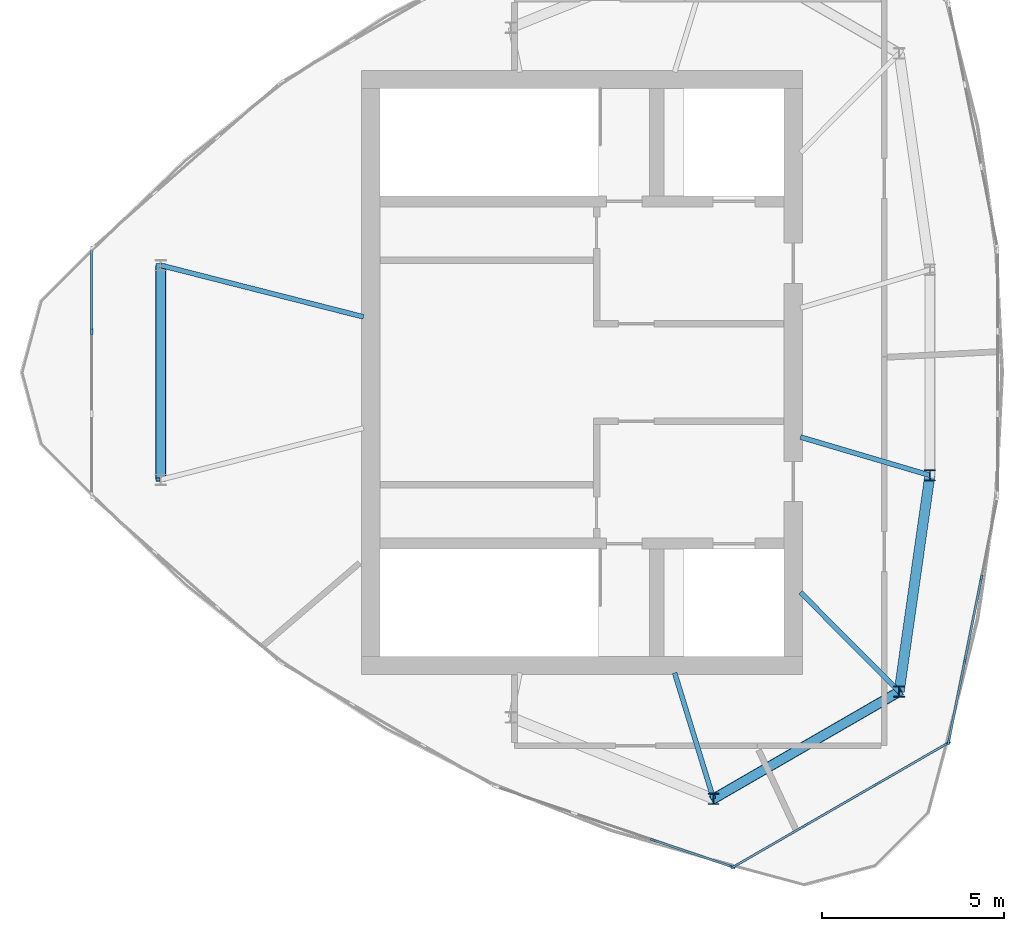
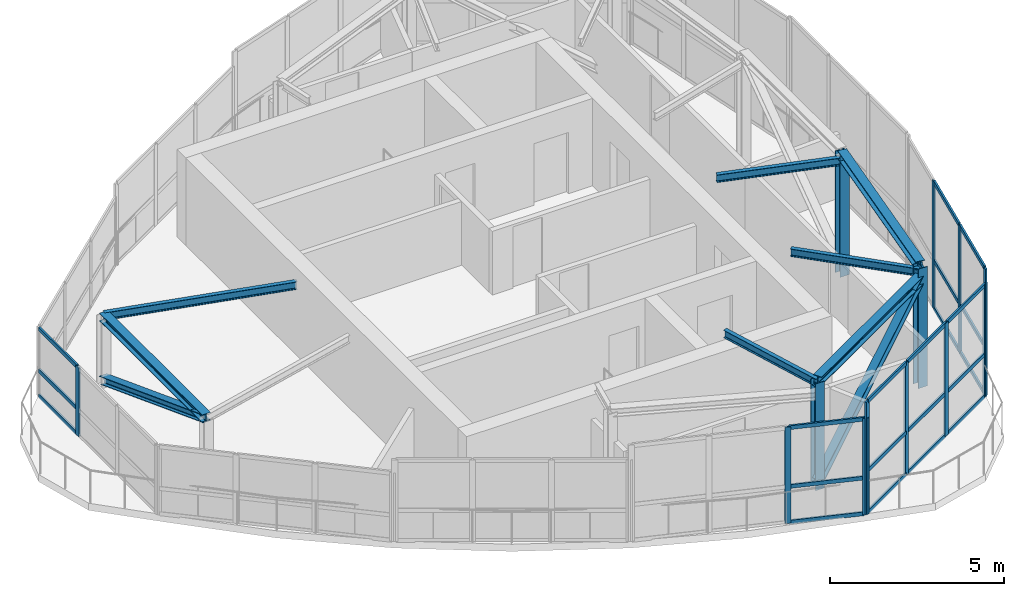
# One storey, part 2 of 9: 43 members, 4 elements without a shape of their own.
"""IFC4 building model written with IfcOpenShell, lengths in metres."""

import ifcopenshell
import ifcopenshell.guid

model = None  # the IFC model being written
_history = None  # IfcOwnerHistory: only IFC2X3 demands one
_inside = {}  # id of a spatial element -> (the spatial element, [elements in it])
_under = {}  # id of a project, library or spatial element -> (it, [spatial elements below it])
_declared = {}  # id of a project -> (the project, [libraries it declares])
_typed = {}  # id of a type object -> (the type object, [elements of that type])
_made_of = {}  # id of a material, layer set ... -> (it, [elements and type objects made of it])


def new_model(schema):
    """Start an empty IFC model of exactly this schema.

    Asked for "IFC4X3", IfcOpenShell would pick the latest addendum, in which some entities
    have other attributes; the version numbers below select the first issue.
    IFC2X3 requires an IfcOwnerHistory on every rooted entity: one is made here for all.
    """
    global model, _history
    if schema == "IFC4X3":
        model = ifcopenshell.file(schema_version=(4, 3, 0, 0))
    else:
        model = ifcopenshell.file(schema=schema)
    _inside.clear()
    _under.clear()
    _declared.clear()
    _typed.clear()
    _made_of.clear()
    _history = None
    if model.schema == "IFC2X3":
        org = make("IfcOrganization", Name="unknown")
        user = make(
            "IfcPersonAndOrganization",
            ThePerson=make("IfcPerson", FamilyName="unknown"),
            TheOrganization=org,
        )
        app = make(
            "IfcApplication",
            ApplicationDeveloper=org,
            Version="unknown",
            ApplicationFullName="unknown",
            ApplicationIdentifier="unknown",
        )
        _history = make(
            "IfcOwnerHistory",
            OwningUser=user,
            OwningApplication=app,
            ChangeAction="ADDED",
            CreationDate=0,
        )
    return model


def make(cls, **values):
    """One entity of the class cls with the attributes given. An attribute that is None is left unset."""
    return model.create_entity(
        cls, **{name: value for name, value in values.items() if value is not None}
    )


def rooted(cls, **values):
    """An entity with a GlobalId (a new one), such as an element, a storey or a relation."""
    return make(cls, GlobalId=ifcopenshell.guid.new(), OwnerHistory=_history, **values)


def si_unit(unit_type, name, prefix=None):
    """IfcSIUnit, for example si_unit("LENGTHUNIT", "METRE", prefix="MILLI")."""
    return make("IfcSIUnit", UnitType=unit_type, Prefix=prefix, Name=name)


def assignment(units):
    """IfcUnitAssignment: the units of a project."""
    return None if units is None else make("IfcUnitAssignment", Units=units)


def point(xyz):
    """IfcCartesianPoint."""
    return None if xyz is None else make("IfcCartesianPoint", Coordinates=xyz)


def direction(xyz):
    """IfcDirection."""
    return None if xyz is None else make("IfcDirection", DirectionRatios=xyz)


def frame(location, z_axis=None, x_axis=None):
    """IfcAxis2Placement3D, a coordinate frame: its origin and axes. An axis left out is left unset."""
    return make(
        "IfcAxis2Placement3D",
        Location=point(location),
        Axis=direction(z_axis),
        RefDirection=direction(x_axis),
    )


def frame_2d(location, x_axis=None):
    """IfcAxis2Placement2D, a coordinate frame in the plane: its origin and x axis."""
    return make(
        "IfcAxis2Placement2D", Location=point(location), RefDirection=direction(x_axis)
    )


def origin():
    """The frame at (0, 0, 0) with its axes left unset."""
    return frame((0.0, 0.0, 0.0))


def origin_2d():
    """The frame at (0, 0) in the plane with its x axis left unset."""
    return frame_2d((0.0, 0.0))


def place(relative_to, where):
    """IfcLocalPlacement: puts the frame where relative to a parent placement (None: the world)."""
    return make(
        "IfcLocalPlacement", PlacementRelTo=relative_to, RelativePlacement=where
    )


def context(
    kind, dimensions, precision=None, world=None, true_north=None, identifier=None
):
    """IfcGeometricRepresentationContext, for example the 3D "Model" context."""
    return make(
        "IfcGeometricRepresentationContext",
        ContextIdentifier=identifier,
        ContextType=kind,
        CoordinateSpaceDimension=dimensions,
        Precision=precision,
        WorldCoordinateSystem=world,
        TrueNorth=true_north,
    )


def subcontext(parent, identifier, kind, view, scale=None):
    """IfcGeometricRepresentationSubContext, for example "Body" below "Model"."""
    return make(
        "IfcGeometricRepresentationSubContext",
        ContextIdentifier=identifier,
        ContextType=kind,
        ParentContext=parent,
        TargetScale=scale,
        TargetView=view,
    )


def project(units=None, contexts=None):
    """IfcProject with its units and contexts."""
    return rooted(
        "IfcProject",
        Name="project",
        RepresentationContexts=contexts,
        UnitsInContext=assignment(units),
    )


def spatial(cls, under=None, at=None, **own):
    """A site, building, storey or space (cls), placed at a placement, below another one or the project."""
    s = rooted(cls, ObjectPlacement=at, **own)
    if under is not None:
        _under.setdefault(under.id(), (under, []))[1].append(s)
    return s


def profile(cls, at=None, kind="AREA", **sizes):
    """A parametric profile (cls). Its sizes go by their IFC names, for example OverallWidth=200.0."""
    return make(cls, ProfileType=kind, Position=at, **sizes)


def rectangle(**sizes):
    """IfcRectangleProfileDef."""
    return profile("IfcRectangleProfileDef", **sizes)


def i_section(**sizes):
    """IfcIShapeProfileDef."""
    return profile("IfcIShapeProfileDef", **sizes)


def extrude(swept, where, along, depth):
    """IfcExtrudedAreaSolid: the profile swept, set in the frame where, extruded along a direction by depth."""
    return make(
        "IfcExtrudedAreaSolid",
        SweptArea=swept,
        Position=where,
        ExtrudedDirection=direction(along),
        Depth=depth,
    )


def shape(context_of_items, identifier, shape_type, items):
    """IfcShapeRepresentation: the items that make up one representation, for example the "Body"."""
    return make(
        "IfcShapeRepresentation",
        ContextOfItems=context_of_items,
        RepresentationIdentifier=identifier,
        RepresentationType=shape_type,
        Items=items,
    )


def source(mapping_origin, context_of_items, identifier, shape_type, items):
    """IfcRepresentationMap: a shape defined once, which mapped items show again and again."""
    return make(
        "IfcRepresentationMap",
        MappingOrigin=mapping_origin,
        MappedRepresentation=shape(context_of_items, identifier, shape_type, items),
    )


def transform(
    local_origin,
    x_axis=None,
    y_axis=None,
    z_axis=None,
    scale=None,
    scale2=None,
    scale3=None,
    uniform=True,
):
    """IfcCartesianTransformationOperator3D, or its non-uniform kind. x_axis, y_axis, z_axis: its Axis1, 2, 3."""
    if uniform:
        return make(
            "IfcCartesianTransformationOperator3D",
            Axis1=direction(x_axis),
            Axis2=direction(y_axis),
            LocalOrigin=point(local_origin),
            Scale=scale,
            Axis3=direction(z_axis),
        )
    return make(
        "IfcCartesianTransformationOperator3DnonUniform",
        Axis1=direction(x_axis),
        Axis2=direction(y_axis),
        LocalOrigin=point(local_origin),
        Scale=scale,
        Axis3=direction(z_axis),
        Scale2=scale2,
        Scale3=scale3,
    )


def mapped(mapping_source, mapping_target):
    """IfcMappedItem: shows the shape of a source again, moved by a transform."""
    return make(
        "IfcMappedItem", MappingSource=mapping_source, MappingTarget=mapping_target
    )


def material(Name=None, Category=None):
    """IfcMaterial."""
    return make("IfcMaterial", Name=Name, Category=Category)


def layer(
    of_material, thickness, ventilated=None, Name=None, Category=None, Priority=None
):
    """IfcMaterialLayer: one layer of a wall or slab, of a material (None: an air gap)."""
    return make(
        "IfcMaterialLayer",
        Material=of_material,
        LayerThickness=thickness,
        IsVentilated=ventilated,
        Name=Name,
        Category=Category,
        Priority=Priority,
    )


def layer_set(layers, Name=None):
    """IfcMaterialLayerSet."""
    return make("IfcMaterialLayerSet", MaterialLayers=layers, LayerSetName=Name)


def material_profile(
    of_material, cross_section, Name=None, Category=None, Priority=None
):
    """IfcMaterialProfile: a cross section and its material."""
    return make(
        "IfcMaterialProfile",
        Name=Name,
        Material=of_material,
        Profile=cross_section,
        Priority=Priority,
        Category=Category,
    )


def profile_set(profiles, Name=None, composite=None):
    """IfcMaterialProfileSet."""
    return make(
        "IfcMaterialProfileSet",
        Name=Name,
        MaterialProfiles=profiles,
        CompositeProfile=composite,
    )


def made_of(thing, what):
    """Note that an element or type object is made of a material, layer set ...; save() writes the relation."""
    if what is not None:
        _made_of.setdefault(what.id(), (what, []))[1].append(thing)
    return thing


def type_object(cls, material=None, **own):
    """A type object (cls), such as IfcWallType, which elements share."""
    return made_of(rooted(cls, **own), material)


def element(
    cls,
    number,
    at=None,
    inside=None,
    cuts=None,
    type_object=None,
    material=None,
    context=None,
    identifier="Body",
    shape_type=None,
    held_by="IfcProductDefinitionShape",
    body=None,
    shapes=None,
    **own,
):
    """One element of the class cls, such as IfcWall. Its Tag is "e" and its number.

    at: its placement. inside: the storey or other place that contains it. cuts: it is an
    opening in that element (IfcRelVoidsElement). A single representation is given by context,
    identifier, shape_type and body (its items); several are given by shapes. held_by: the class
    of the entity that holds the representations. save() writes the other relations.
    """
    e = rooted(cls, Tag="e%d" % number, ObjectPlacement=at, **own)
    if body is not None:
        shapes = [shape(context, identifier, shape_type, body)]
    if shapes is not None:
        e.Representation = make(held_by, Representations=shapes)
    if inside is not None:
        _inside.setdefault(inside.id(), (inside, []))[1].append(e)
    if cuts is not None:
        rooted(
            "IfcRelVoidsElement", RelatingBuildingElement=cuts, RelatedOpeningElement=e
        )
    if type_object is not None:
        _typed.setdefault(type_object.id(), (type_object, []))[1].append(e)
    return made_of(e, material)


def aggregate(whole, parts):
    """IfcRelAggregates: a whole, such as a stair, and the parts it consists of."""
    return rooted("IfcRelAggregates", RelatingObject=whole, RelatedObjects=parts)


def save(model, path):
    """Write the relations noted so far, then the file.

    IfcRelAggregates (storeys below a building ...), IfcRelContainedInSpatialStructure (elements
    in a storey), IfcRelDefinesByType, IfcRelAssociatesMaterial and IfcRelDeclares: one each for
    every whole, place, type object, material and project.
    """
    for whole, parts in _under.values():
        aggregate(whole, parts)
    for where, things in _inside.values():
        rooted(
            "IfcRelContainedInSpatialStructure",
            RelatedElements=things,
            RelatingStructure=where,
        )
    for kind, things in _typed.values():
        rooted("IfcRelDefinesByType", RelatedObjects=things, RelatingType=kind)
    for what, things in _made_of.values():
        rooted("IfcRelAssociatesMaterial", RelatedObjects=things, RelatingMaterial=what)
    for by, libraries in _declared.values():
        rooted("IfcRelDeclares", RelatingContext=by, RelatedDefinitions=libraries)
    model.write(path)


model = new_model("IFC4")

# Units and contexts
model_context = context("Model", 3, precision=1e-05, world=origin(), true_north=direction((0.0, 1.0)))
body_context = subcontext(model_context, "Body", "Model", "MODEL_VIEW")
ifc_project = project(units=[si_unit("LENGTHUNIT", "METRE"), si_unit("AREAUNIT", "SQUARE_METRE"), si_unit("VOLUMEUNIT", "CUBIC_METRE"), si_unit("PLANEANGLEUNIT", "RADIAN"), si_unit("MASSUNIT", "GRAM", prefix="KILO")], contexts=[model_context])

# Site, building, storey
site_placement = place(None, origin())
site = spatial("IfcSite", under=ifc_project, at=site_placement, CompositionType="ELEMENT")
building_placement = place(site_placement, origin())
building = spatial("IfcBuilding", under=site, at=building_placement, Name="Qafzar Sky-Pleat Residences", CompositionType="ELEMENT")
storey_placement = place(building_placement, frame((0.0, 0.0, 274.699951171875)))
storey = spatial("IfcBuildingStorey", under=building, at=storey_placement, Name="L81 Crown", CompositionType="ELEMENT", Elevation=274.699951171875)

# Members
ifc_material_1 = material(Name="Steel S355", Category="steel")
ifc_material_profile_1 = material_profile(ifc_material_1, i_section(OverallWidth=0.280029296875, OverallDepth=0.280029296875, WebThickness=0.010498046875, FlangeThickness=0.01806640625, FilletRadius=0.02392578125, at=origin_2d()), Name="HEB 280")
ifc_profile_set_1 = profile_set([ifc_material_profile_1], Name="Steel S355")
member_type_1 = type_object("IfcMemberType", Name="MEM-CROWN-RING", PredefinedType="PURLIN", material=ifc_profile_set_1)
shared_shape_1 = source(origin(), body_context, "Body", "SweptSolid", [
    extrude(i_section(OverallWidth=0.280029296875, OverallDepth=0.280029296875, WebThickness=0.010498046875, FlangeThickness=0.01806640625, FilletRadius=0.02392578125, at=origin_2d()), origin(), (0.0, 0.0, 1.0), 5.888671875),
])
member_1_placement = place(storey_placement, frame((18.77783203125, 28.9443359375, 2.41845703125), z_axis=(0.0, -1.0, 0.0), x_axis=(1.0, 0.0, 0.0)))
element("IfcMember", 1, at=member_1_placement, inside=storey, type_object=member_type_1, Name="L81 Crown CROWN FRAME Ring Beam 1", PredefinedType="PURLIN", context=body_context, shape_type="MappedRepresentation", body=[
    mapped(shared_shape_1, transform((0.0, 0.0, 0.0), x_axis=(1.0, 0.0, 0.0), y_axis=(0.0, 1.0, 0.0), z_axis=(0.0, 0.0, 1.0), scale=1.0)),
])
shared_shape_2 = source(origin(), body_context, "Body", "SweptSolid", [
    extrude(i_section(OverallWidth=0.280029296875, OverallDepth=0.280029296875, WebThickness=0.010498046875, FlangeThickness=0.01806640625, FilletRadius=0.02392578125, at=origin_2d()), origin(), (0.0, 0.0, 1.0), 5.888916015625),
])
member_2_placement = place(storey_placement, frame((33.961181640625, 14.289306640625, 3.7470703125), z_axis=(0.866012294628, 0.500022705037, 0.0), x_axis=(-0.500022705037, 0.866012294628, 0.0)))
element("IfcMember", 2, at=member_2_placement, inside=storey, type_object=member_type_1, Name="L81 Crown CROWN FRAME Ring Beam 5", PredefinedType="PURLIN", context=body_context, shape_type="MappedRepresentation", body=[
    mapped(shared_shape_2, transform((0.0, 0.0, 0.0), x_axis=(1.0, 0.0, 0.0), y_axis=(0.0, 1.0, 0.0), z_axis=(0.0, 0.0, 1.0), scale=1.0)),
])
shared_shape_3 = source(origin(), body_context, "Body", "SweptSolid", [
    extrude(i_section(OverallWidth=0.280029296875, OverallDepth=0.280029296875, WebThickness=0.010498046875, FlangeThickness=0.01806640625, FilletRadius=0.02392578125, at=origin_2d()), origin(), (0.0, 0.0, 1.0), 6.002197265625),
])
member_3_placement = place(storey_placement, frame((39.06103515625, 17.23388671875, 4.193115234375), z_axis=(0.140612694547, 0.990064679772, 0.0), x_axis=(-0.990064679772, 0.140612694547, 0.0)))
element("IfcMember", 3, at=member_3_placement, inside=storey, type_object=member_type_1, Name="L81 Crown CROWN FRAME Ring Beam 6", PredefinedType="PURLIN", context=body_context, shape_type="MappedRepresentation", body=[
    mapped(shared_shape_3, transform((0.0, 0.0, 0.0), x_axis=(1.0, 0.0, 0.0), y_axis=(0.0, 1.0, 0.0), z_axis=(0.0, 0.0, 1.0), scale=1.0)),
])
ifc_material_profile_2 = material_profile(ifc_material_1, i_section(OverallWidth=0.135009765625, OverallDepth=0.27001953125, WebThickness=0.006591796875, FlangeThickness=0.01025390625, FilletRadius=0.014892578125, at=origin_2d()), Name="IPE 270")
ifc_profile_set_2 = profile_set([ifc_material_profile_2], Name="Steel S355")
member_type_2 = type_object("IfcMemberType", Name="MEM-CROWN-TRIM", PredefinedType="PURLIN", material=ifc_profile_set_2)
shared_shape_4 = source(origin(), body_context, "Body", "SweptSolid", [
    extrude(i_section(OverallWidth=0.135009765625, OverallDepth=0.27001953125, WebThickness=0.006591796875, FlangeThickness=0.01025390625, FilletRadius=0.014892578125, at=origin_2d()), origin(), (0.0, 0.0, 1.0), 5.749755859375),
])
member_4_placement = place(storey_placement, frame((18.77783203125, 28.9443359375, 2.423583984375), z_axis=(0.969125035515, -0.246569798512, 0.0), x_axis=(0.246569798512, 0.969125035515, 0.0)))
element("IfcMember", 4, at=member_4_placement, inside=storey, type_object=member_type_2, Name="L81 Crown CROWN FRAME Radial Purlin 1", PredefinedType="PURLIN", context=body_context, shape_type="MappedRepresentation", body=[
    mapped(shared_shape_4, transform((0.0, 0.0, 0.0), x_axis=(1.0, 0.0, 0.0), y_axis=(0.0, 1.0, 0.0), z_axis=(0.0, 0.0, 1.0), scale=1.0)),
])
ifc_material_2 = material(Name="Steel S460", Category="steel")
ifc_material_profile_3 = material_profile(ifc_material_2, i_section(OverallWidth=0.300048828125, OverallDepth=0.300048828125, WebThickness=0.010986328125, FlangeThickness=0.01904296875, FilletRadius=0.027099609375, at=origin_2d()), Name="HEB 300")
ifc_profile_set_3 = profile_set([ifc_material_profile_3], Name="Steel S460")
member_type_3 = type_object("IfcMemberType", Name="MEM-CROWN-RIB", PredefinedType="CHORD", material=ifc_profile_set_3)
shared_shape_5 = source(origin(), body_context, "Body", "SweptSolid", [
    extrude(i_section(OverallWidth=0.300048828125, OverallDepth=0.300048828125, WebThickness=0.010986328125, FlangeThickness=0.01904296875, FilletRadius=0.027099609375, at=origin_2d()), origin(), (0.0, 0.0, 1.0), 3.737060546875),
])
member_5_placement = place(storey_placement, frame((33.961181640625, 14.289306640625, 0.0), z_axis=(0.0, 0.0, 1.0), x_axis=(1.0, 0.0, 0.0)))
element("IfcMember", 5, at=member_5_placement, inside=storey, type_object=member_type_3, Name="L81 Crown CROWN FRAME Inclined Rib 5", PredefinedType="CHORD", context=body_context, shape_type="MappedRepresentation", body=[
    mapped(shared_shape_5, transform((0.0, 0.0, 0.0), x_axis=(1.0, 0.0, 0.0), y_axis=(0.0, 1.0, 0.0), z_axis=(0.0, 0.0, 1.0), scale=1.0)),
])
shared_shape_6 = source(origin(), body_context, "Body", "SweptSolid", [
    extrude(i_section(OverallWidth=0.135009765625, OverallDepth=0.27001953125, WebThickness=0.006591796875, FlangeThickness=0.01025390625, FilletRadius=0.014892578125, at=origin_2d()), origin(), (0.0, 0.0, 1.0), 3.62158203125),
])
member_6_placement = place(storey_placement, frame((33.961181640625, 14.289306640625, 3.658447265625), z_axis=(-0.294668473504, 0.955599545167, 0.0), x_axis=(-0.955599545167, -0.294668473504, 0.0)))
element("IfcMember", 6, at=member_6_placement, inside=storey, type_object=member_type_2, Name="L81 Crown CROWN FRAME Radial Purlin 5", PredefinedType="PURLIN", context=body_context, shape_type="MappedRepresentation", body=[
    mapped(shared_shape_6, transform((0.0, 0.0, 0.0), x_axis=(1.0, 0.0, 0.0), y_axis=(0.0, 1.0, 0.0), z_axis=(0.0, 0.0, 1.0), scale=1.0)),
])
shared_shape_7 = source(origin(), body_context, "Body", "SweptSolid", [
    extrude(i_section(OverallWidth=0.300048828125, OverallDepth=0.300048828125, WebThickness=0.010986328125, FlangeThickness=0.01904296875, FilletRadius=0.027099609375, at=origin_2d()), origin(), (0.0, 0.0, 1.0), 4.18310546875),
])
member_7_placement = place(storey_placement, frame((39.06103515625, 17.23388671875, 0.0), z_axis=(0.0, 0.0, 1.0), x_axis=(1.0, 0.0, 0.0)))
element("IfcMember", 7, at=member_7_placement, inside=storey, type_object=member_type_3, Name="L81 Crown CROWN FRAME Inclined Rib 6", PredefinedType="CHORD", context=body_context, shape_type="MappedRepresentation", body=[
    mapped(shared_shape_7, transform((0.0, 0.0, 0.0), x_axis=(1.0, 0.0, 0.0), y_axis=(0.0, 1.0, 0.0), z_axis=(0.0, 0.0, 1.0), scale=1.0)),
])
shared_shape_8 = source(origin(), body_context, "Body", "SweptSolid", [
    extrude(i_section(OverallWidth=0.135009765625, OverallDepth=0.27001953125, WebThickness=0.006591796875, FlangeThickness=0.01025390625, FilletRadius=0.014892578125, at=origin_2d()), origin(), (0.0, 0.0, 1.0), 3.845947265625),
])
member_8_placement = place(storey_placement, frame((39.06103515625, 17.23388671875, 3.9609375), z_axis=(-0.704881491973, 0.709325089274, 0.0), x_axis=(-0.709325089274, -0.704881491973, 0.0)))
element("IfcMember", 8, at=member_8_placement, inside=storey, type_object=member_type_2, Name="L81 Crown CROWN FRAME Radial Purlin 6", PredefinedType="PURLIN", context=body_context, shape_type="MappedRepresentation", body=[
    mapped(shared_shape_8, transform((0.0, 0.0, 0.0), x_axis=(1.0, 0.0, 0.0), y_axis=(0.0, 1.0, 0.0), z_axis=(0.0, 0.0, 1.0), scale=1.0)),
])
shared_shape_9 = source(origin(), body_context, "Body", "SweptSolid", [
    extrude(i_section(OverallWidth=0.300048828125, OverallDepth=0.300048828125, WebThickness=0.010986328125, FlangeThickness=0.01904296875, FilletRadius=0.027099609375, at=origin_2d()), origin(), (0.0, 0.0, 1.0), 4.2568359375),
])
member_9_placement = place(storey_placement, frame((39.905029296875, 23.176513671875, 0.0), z_axis=(0.0, 0.0, 1.0), x_axis=(1.0, 0.0, 0.0)))
element("IfcMember", 9, at=member_9_placement, inside=storey, type_object=member_type_3, Name="L81 Crown CROWN FRAME Inclined Rib 7", PredefinedType="CHORD", context=body_context, shape_type="MappedRepresentation", body=[
    mapped(shared_shape_9, transform((0.0, 0.0, 0.0), x_axis=(1.0, 0.0, 0.0), y_axis=(0.0, 1.0, 0.0), z_axis=(0.0, 0.0, 1.0), scale=1.0)),
])
shared_shape_10 = source(origin(), body_context, "Body", "SweptSolid", [
    extrude(i_section(OverallWidth=0.135009765625, OverallDepth=0.27001953125, WebThickness=0.006591796875, FlangeThickness=0.01025390625, FilletRadius=0.014892578125, at=origin_2d()), origin(), (0.0, 0.0, 1.0), 3.706787109375),
])
member_10_placement = place(storey_placement, frame((39.905029296875, 23.176513671875, 3.9609375), z_axis=(-0.959001843601, 0.283399830576, 0.0), x_axis=(-0.283399830576, -0.959001843601, 0.0)))
element("IfcMember", 10, at=member_10_placement, inside=storey, type_object=member_type_2, Name="L81 Crown CROWN FRAME Radial Purlin 7", PredefinedType="PURLIN", context=body_context, shape_type="MappedRepresentation", body=[
    mapped(shared_shape_10, transform((0.0, 0.0, 0.0), x_axis=(1.0, 0.0, 0.0), y_axis=(0.0, 1.0, 0.0), z_axis=(0.0, 0.0, 1.0), scale=1.0)),
])
ifc_material_profile_4 = material_profile(ifc_material_1, i_section(OverallWidth=0.260009765625, OverallDepth=0.260009765625, WebThickness=0.010009765625, FlangeThickness=0.017578125, FilletRadius=0.02392578125, at=origin_2d()), Name="HEB 260")
ifc_profile_set_4 = profile_set([ifc_material_profile_4], Name="Steel S355")
member_type_4 = type_object("IfcMemberType", Name="MEM-CROWN-DIAG", PredefinedType="BRACE", material=ifc_profile_set_4)
shared_shape_11 = source(origin(), body_context, "Body", "SweptSolid", [
    extrude(i_section(OverallWidth=0.260009765625, OverallDepth=0.260009765625, WebThickness=0.010009765625, FlangeThickness=0.017578125, FilletRadius=0.02392578125, at=origin_2d()), origin(), (0.0, 0.0, 1.0), 6.296142578125),
])
member_11_placement = place(storey_placement, frame((18.77783203125, 28.9443359375, 0.199951171875), z_axis=(0.0, -0.935266831096, 0.353943434255), x_axis=(1.0, 0.0, 0.0)))
element("IfcMember", 11, at=member_11_placement, inside=storey, type_object=member_type_4, Name="L81 Crown CROWN FRAME Wind Brace 1", PredefinedType="BRACE", context=body_context, shape_type="MappedRepresentation", body=[
    mapped(shared_shape_11, transform((0.0, 0.0, 0.0), x_axis=(1.0, 0.0, 0.0), y_axis=(0.0, 1.0, 0.0), z_axis=(0.0, 0.0, 1.0), scale=1.0)),
])
shared_shape_12 = source(origin(), body_context, "Body", "SweptSolid", [
    extrude(i_section(OverallWidth=0.260009765625, OverallDepth=0.260009765625, WebThickness=0.010009765625, FlangeThickness=0.017578125, FilletRadius=0.02392578125, at=origin_2d()), origin(), (0.0, 0.0, 1.0), 6.879638671875),
])
member_12_placement = place(storey_placement, frame((33.961181640625, 14.289306640625, 0.199951171875), z_axis=(0.741288419534, 0.428008982144, 0.517010435358), x_axis=(-0.500022705037, 0.866012294628, 0.0)))
element("IfcMember", 12, at=member_12_placement, inside=storey, type_object=member_type_4, Name="L81 Crown CROWN FRAME Wind Brace 5", PredefinedType="BRACE", context=body_context, shape_type="MappedRepresentation", body=[
    mapped(shared_shape_12, transform((0.0, 0.0, 0.0), x_axis=(1.0, 0.0, 0.0), y_axis=(0.0, 1.0, 0.0), z_axis=(0.0, 0.0, 1.0), scale=1.0)),
])

# Curtain wall, members
ifc_material_3 = material(Name="Anodised bronze aluminium framing", Category="aluminium")
ifc_layer = layer(ifc_material_3, 0.179931640625)
ifc_layer_set = layer_set([ifc_layer], Name="Anodised bronze aluminium framing")
curtain_wall_type = type_object("IfcCurtainWallType", Name="CW-SYS-06", PredefinedType="NOTDEFINED", material=ifc_layer_set)
curtain_wall_1_placement = place(storey_placement, origin())
curtain_wall_1 = element("IfcCurtainWall", 13, at=curtain_wall_1_placement, inside=storey, type_object=curtain_wall_type, Name="L81 Crown CW-06 Curtain Wall CW-CROWN-06-01", PredefinedType="NOTDEFINED")
ifc_material_4 = material(Name="Anodised bronze aluminium", Category="aluminium")
ifc_material_profile_5 = material_profile(ifc_material_4, rectangle(XDim=0.06005859375, YDim=0.179931640625, at=origin_2d()), Name="ALU MULLION 60x180")
ifc_profile_set_5 = profile_set([ifc_material_profile_5], Name="Anodised bronze aluminium")
member_type_5 = type_object("IfcMemberType", Name="CWM-06", PredefinedType="MULLION", material=ifc_profile_set_5)
shared_shape_13 = source(origin(), body_context, "Body", "SweptSolid", [
    extrude(rectangle(XDim=0.06005859375, YDim=0.179931640625, at=origin_2d()), origin(), (0.0, 0.0, 1.0), 2.403076171875),
])
member_13_placement = place(storey_placement, frame((16.885498046875, 27.138427734375, 0.0), z_axis=(0.0, 0.0, 1.0), x_axis=(1.0, 0.0, 0.0)))
member_13 = element("IfcMember", 14, at=member_13_placement, type_object=member_type_5, Name="CW-06 mullion 2", PredefinedType="MULLION", context=body_context, shape_type="MappedRepresentation", body=[
    mapped(shared_shape_13, transform((0.0, 0.0, 0.0), x_axis=(1.0, 0.0, 0.0), y_axis=(0.0, 1.0, 0.0), z_axis=(0.0, 0.0, 1.0), scale=1.0)),
])
ifc_material_profile_6 = material_profile(ifc_material_4, rectangle(XDim=0.06005859375, YDim=0.135009765625, at=origin_2d()), Name="ALU TRANSOM 60x135")
ifc_profile_set_6 = profile_set([ifc_material_profile_6], Name="Anodised bronze aluminium")
member_type_6 = type_object("IfcMemberType", Name="CWT-06", PredefinedType="USERDEFINED", material=ifc_profile_set_6)
shared_shape_14 = source(origin(), body_context, "Body", "SweptSolid", [
    extrude(rectangle(XDim=0.06005859375, YDim=0.135009765625, at=origin_2d()), origin(), (0.0, 0.0, 1.0), 2.187255859375),
])
member_14_placement = place(storey_placement, frame((16.885498046875, 29.355712890625, 0.030029296875), z_axis=(0.0, -1.0, 0.0), x_axis=(1.0, 0.0, 0.0)))
member_14 = element("IfcMember", 15, at=member_14_placement, type_object=member_type_6, Name="CW-06 transom 1.1", ObjectType="TRANSOM", PredefinedType="USERDEFINED", context=body_context, shape_type="MappedRepresentation", body=[
    mapped(shared_shape_14, transform((0.0, 0.0, 0.0), x_axis=(1.0, 0.0, 0.0), y_axis=(0.0, 1.0, 0.0), z_axis=(0.0, 0.0, 1.0), scale=1.0)),
])
member_15_placement = place(storey_placement, frame((16.885498046875, 29.355712890625, 0.9130859375), z_axis=(0.0, -1.0, 0.0), x_axis=(1.0, 0.0, 0.0)))
member_15 = element("IfcMember", 16, at=member_15_placement, type_object=member_type_6, Name="CW-06 transom 1.2", ObjectType="TRANSOM", PredefinedType="USERDEFINED", context=body_context, shape_type="MappedRepresentation", body=[
    mapped(shared_shape_14, transform((0.0, 0.0, 0.0), x_axis=(1.0, 0.0, 0.0), y_axis=(0.0, 1.0, 0.0), z_axis=(0.0, 0.0, 1.0), scale=1.0)),
])
member_16_placement = place(storey_placement, frame((16.885498046875, 29.355712890625, 2.373046875), z_axis=(0.0, -1.0, 0.0), x_axis=(1.0, 0.0, 0.0)))
member_16 = element("IfcMember", 17, at=member_16_placement, type_object=member_type_6, Name="CW-06 transom 1.3", ObjectType="TRANSOM", PredefinedType="USERDEFINED", context=body_context, shape_type="MappedRepresentation", body=[
    mapped(shared_shape_14, transform((0.0, 0.0, 0.0), x_axis=(1.0, 0.0, 0.0), y_axis=(0.0, 1.0, 0.0), z_axis=(0.0, 0.0, 1.0), scale=1.0)),
])
aggregate(curtain_wall_1, [member_13, member_14, member_15, member_16])

curtain_wall_2_placement = place(storey_placement, origin())
curtain_wall_2 = element("IfcCurtainWall", 18, at=curtain_wall_2_placement, inside=storey, type_object=curtain_wall_type, Name="L81 Crown CW-06 Curtain Wall CW-CROWN-06-05", PredefinedType="NOTDEFINED")
shared_shape_15 = source(origin(), body_context, "Body", "SweptSolid", [
    extrude(rectangle(XDim=0.06005859375, YDim=0.135009765625, at=origin_2d()), origin(), (0.0, 0.0, 1.0), 2.21728515625),
])
member_17_placement = place(storey_placement, frame((36.4970703125, 13.568603515625, 0.030029296875), z_axis=(0.866018722283, 0.500011572522, 0.0), x_axis=(-0.500011572522, 0.866018722283, 0.0)))
member_17 = element("IfcMember", 19, at=member_17_placement, type_object=member_type_6, Name="CW-06 transom 2.1", ObjectType="TRANSOM", PredefinedType="USERDEFINED", context=body_context, shape_type="MappedRepresentation", body=[
    mapped(shared_shape_15, transform((0.0, 0.0, 0.0), x_axis=(1.0, 0.0, 0.0), y_axis=(0.0, 1.0, 0.0), z_axis=(0.0, 0.0, 1.0), scale=1.0)),
])
member_18_placement = place(storey_placement, frame((36.4970703125, 13.568603515625, 1.498779296875), z_axis=(0.866018722283, 0.500011572522, 0.0), x_axis=(-0.500011572522, 0.866018722283, 0.0)))
member_18 = element("IfcMember", 20, at=member_18_placement, type_object=member_type_6, Name="CW-06 transom 2.2", ObjectType="TRANSOM", PredefinedType="USERDEFINED", context=body_context, shape_type="MappedRepresentation", body=[
    mapped(shared_shape_15, transform((0.0, 0.0, 0.0), x_axis=(1.0, 0.0, 0.0), y_axis=(0.0, 1.0, 0.0), z_axis=(0.0, 0.0, 1.0), scale=1.0)),
])
member_19_placement = place(storey_placement, frame((36.4970703125, 13.568603515625, 3.9140625), z_axis=(0.866018722283, 0.500011572522, 0.0), x_axis=(-0.500011572522, 0.866018722283, 0.0)))
member_19 = element("IfcMember", 21, at=member_19_placement, type_object=member_type_6, Name="CW-06 transom 2.3", ObjectType="TRANSOM", PredefinedType="USERDEFINED", context=body_context, shape_type="MappedRepresentation", body=[
    mapped(shared_shape_15, transform((0.0, 0.0, 0.0), x_axis=(1.0, 0.0, 0.0), y_axis=(0.0, 1.0, 0.0), z_axis=(0.0, 0.0, 1.0), scale=1.0)),
])

curtain_wall_3_placement = place(storey_placement, origin())
curtain_wall_3 = element("IfcCurtainWall", 22, at=curtain_wall_3_placement, inside=storey, type_object=curtain_wall_type, Name="L81 Crown CW-06 Curtain Wall CW-CROWN-06-04", PredefinedType="NOTDEFINED")
shared_shape_16 = source(origin(), body_context, "Body", "SweptSolid", [
    extrude(rectangle(XDim=0.06005859375, YDim=0.135009765625, at=origin_2d()), origin(), (0.0, 0.0, 1.0), 2.214599609375),
])
member_20_placement = place(storey_placement, frame((32.344482421875, 13.14404296875, 0.030029296875), z_axis=(0.947262825794, -0.320457702151, 0.0), x_axis=(0.320457702151, 0.947262825794, 0.0)))
member_20 = element("IfcMember", 23, at=member_20_placement, type_object=member_type_6, Name="CW-06 transom 3.1", ObjectType="TRANSOM", PredefinedType="USERDEFINED", context=body_context, shape_type="MappedRepresentation", body=[
    mapped(shared_shape_16, transform((0.0, 0.0, 0.0), x_axis=(1.0, 0.0, 0.0), y_axis=(0.0, 1.0, 0.0), z_axis=(0.0, 0.0, 1.0), scale=1.0)),
])
member_21_placement = place(storey_placement, frame((32.344482421875, 13.14404296875, 1.281005859375), z_axis=(0.947262825794, -0.320457702151, 0.0), x_axis=(0.320457702151, 0.947262825794, 0.0)))
member_21 = element("IfcMember", 24, at=member_21_placement, type_object=member_type_6, Name="CW-06 transom 3.2", ObjectType="TRANSOM", PredefinedType="USERDEFINED", context=body_context, shape_type="MappedRepresentation", body=[
    mapped(shared_shape_16, transform((0.0, 0.0, 0.0), x_axis=(1.0, 0.0, 0.0), y_axis=(0.0, 1.0, 0.0), z_axis=(0.0, 0.0, 1.0), scale=1.0)),
])
member_22_placement = place(storey_placement, frame((32.344482421875, 13.14404296875, 3.341064453125), z_axis=(0.947262825794, -0.320457702151, 0.0), x_axis=(0.320457702151, 0.947262825794, 0.0)))
member_22 = element("IfcMember", 25, at=member_22_placement, type_object=member_type_6, Name="CW-06 transom 3.3", ObjectType="TRANSOM", PredefinedType="USERDEFINED", context=body_context, shape_type="MappedRepresentation", body=[
    mapped(shared_shape_16, transform((0.0, 0.0, 0.0), x_axis=(1.0, 0.0, 0.0), y_axis=(0.0, 1.0, 0.0), z_axis=(0.0, 0.0, 1.0), scale=1.0)),
])

curtain_wall_4_placement = place(storey_placement, origin())
curtain_wall_4 = element("IfcCurtainWall", 26, at=curtain_wall_4_placement, inside=storey, type_object=curtain_wall_type, Name="L81 Crown CW-06 Curtain Wall CW-CROWN-06-06", PredefinedType="NOTDEFINED")
shared_shape_17 = source(origin(), body_context, "Body", "SweptSolid", [
    extrude(rectangle(XDim=0.06005859375, YDim=0.135009765625, at=origin_2d()), origin(), (0.0, 0.0, 1.0), 2.21435546875),
])
member_23_placement = place(storey_placement, frame((40.427001953125, 15.8896484375, 0.030029296875), z_axis=(0.196137337295, 0.980576435021, 0.0), x_axis=(-0.980576435021, 0.196137337295, 0.0)))
member_23 = element("IfcMember", 27, at=member_23_placement, type_object=member_type_6, Name="CW-06 transom 1.1", ObjectType="TRANSOM", PredefinedType="USERDEFINED", context=body_context, shape_type="MappedRepresentation", body=[
    mapped(shared_shape_17, transform((0.0, 0.0, 0.0), x_axis=(1.0, 0.0, 0.0), y_axis=(0.0, 1.0, 0.0), z_axis=(0.0, 0.0, 1.0), scale=1.0)),
])
member_24_placement = place(storey_placement, frame((40.427001953125, 15.8896484375, 1.695556640625), z_axis=(0.196137337295, 0.980576435021, 0.0), x_axis=(-0.980576435021, 0.196137337295, 0.0)))
member_24 = element("IfcMember", 28, at=member_24_placement, type_object=member_type_6, Name="CW-06 transom 1.2", ObjectType="TRANSOM", PredefinedType="USERDEFINED", context=body_context, shape_type="MappedRepresentation", body=[
    mapped(shared_shape_17, transform((0.0, 0.0, 0.0), x_axis=(1.0, 0.0, 0.0), y_axis=(0.0, 1.0, 0.0), z_axis=(0.0, 0.0, 1.0), scale=1.0)),
])
member_25_placement = place(storey_placement, frame((40.427001953125, 15.8896484375, 4.431640625), z_axis=(0.196137337295, 0.980576435021, 0.0), x_axis=(-0.980576435021, 0.196137337295, 0.0)))
member_25 = element("IfcMember", 29, at=member_25_placement, type_object=member_type_6, Name="CW-06 transom 1.3", ObjectType="TRANSOM", PredefinedType="USERDEFINED", context=body_context, shape_type="MappedRepresentation", body=[
    mapped(shared_shape_17, transform((0.0, 0.0, 0.0), x_axis=(1.0, 0.0, 0.0), y_axis=(0.0, 1.0, 0.0), z_axis=(0.0, 0.0, 1.0), scale=1.0)),
])

# Member
shared_shape_18 = source(origin(), body_context, "Body", "SweptSolid", [
    extrude(rectangle(XDim=0.06005859375, YDim=0.179931640625, at=origin_2d()), origin(), (0.0, 0.0, 1.0), 3.37109375),
])
member_26_placement = place(storey_placement, frame((32.316162109375, 13.153564453125, 0.0), z_axis=(0.0, 0.0, 1.0), x_axis=(0.320459611229, 0.947262179954, 0.0)))
member_26 = element("IfcMember", 30, at=member_26_placement, type_object=member_type_5, Name="CW-06 mullion 3", PredefinedType="MULLION", context=body_context, shape_type="MappedRepresentation", body=[
    mapped(shared_shape_18, transform((0.0, 0.0, 0.0), x_axis=(1.0, 0.0, 0.0), y_axis=(0.0, 1.0, 0.0), z_axis=(0.0, 0.0, 1.0), scale=1.0)),
])

member_27_placement = place(storey_placement, frame((34.470703125, 12.4248046875, 0.0), z_axis=(0.0, 0.0, 1.0), x_axis=(0.320459611229, 0.947262179954, 0.0)))
member_27 = element("IfcMember", 31, at=member_27_placement, type_object=member_type_5, Name="CW-06 mullion 4", PredefinedType="MULLION", context=body_context, shape_type="MappedRepresentation", body=[
    mapped(shared_shape_18, transform((0.0, 0.0, 0.0), x_axis=(1.0, 0.0, 0.0), y_axis=(0.0, 1.0, 0.0), z_axis=(0.0, 0.0, 1.0), scale=1.0)),
])

aggregate(curtain_wall_3, [member_26, member_27, member_20, member_21, member_22])

shared_shape_19 = source(origin(), body_context, "Body", "SweptSolid", [
    extrude(rectangle(XDim=0.06005859375, YDim=0.179931640625, at=origin_2d()), origin(), (0.0, 0.0, 1.0), 3.944091796875),
])
member_28_placement = place(storey_placement, frame((34.525146484375, 12.43017578125, 0.0), z_axis=(0.0, 0.0, 1.0), x_axis=(-0.499999539703, 0.866025669537, 0.0)))
member_28 = element("IfcMember", 32, at=member_28_placement, type_object=member_type_5, Name="CW-06 mullion 1", PredefinedType="MULLION", context=body_context, shape_type="MappedRepresentation", body=[
    mapped(shared_shape_19, transform((0.0, 0.0, 0.0), x_axis=(1.0, 0.0, 0.0), y_axis=(0.0, 1.0, 0.0), z_axis=(0.0, 0.0, 1.0), scale=1.0)),
])

member_29_placement = place(storey_placement, frame((36.47119140625, 13.5537109375, 0.0), z_axis=(0.0, 0.0, 1.0), x_axis=(-0.499999539703, 0.866025669537, 0.0)))
member_29 = element("IfcMember", 33, at=member_29_placement, type_object=member_type_5, Name="CW-06 mullion 2", PredefinedType="MULLION", context=body_context, shape_type="MappedRepresentation", body=[
    mapped(shared_shape_19, transform((0.0, 0.0, 0.0), x_axis=(1.0, 0.0, 0.0), y_axis=(0.0, 1.0, 0.0), z_axis=(0.0, 0.0, 1.0), scale=1.0)),
])

member_30_placement = place(storey_placement, frame((38.443115234375, 14.692138671875, 0.0), z_axis=(0.0, 0.0, 1.0), x_axis=(-0.499999539703, 0.866025669537, 0.0)))
member_30 = element("IfcMember", 34, at=member_30_placement, type_object=member_type_5, Name="CW-06 mullion 3", PredefinedType="MULLION", context=body_context, shape_type="MappedRepresentation", body=[
    mapped(shared_shape_19, transform((0.0, 0.0, 0.0), x_axis=(1.0, 0.0, 0.0), y_axis=(0.0, 1.0, 0.0), z_axis=(0.0, 0.0, 1.0), scale=1.0)),
])

member_31_placement = place(storey_placement, frame((40.38916015625, 15.815673828125, 0.0), z_axis=(0.0, 0.0, 1.0), x_axis=(-0.499999539703, 0.866025669537, 0.0)))
member_31 = element("IfcMember", 35, at=member_31_placement, type_object=member_type_5, Name="CW-06 mullion 4", PredefinedType="MULLION", context=body_context, shape_type="MappedRepresentation", body=[
    mapped(shared_shape_19, transform((0.0, 0.0, 0.0), x_axis=(1.0, 0.0, 0.0), y_axis=(0.0, 1.0, 0.0), z_axis=(0.0, 0.0, 1.0), scale=1.0)),
])

shared_shape_20 = source(origin(), body_context, "Body", "SweptSolid", [
    extrude(rectangle(XDim=0.06005859375, YDim=0.135009765625, at=origin_2d()), origin(), (0.0, 0.0, 1.0), 2.18701171875),
])
member_32_placement = place(storey_placement, frame((34.55126953125, 12.445068359375, 0.030029296875), z_axis=(0.866029434536, 0.499993018469, 0.0), x_axis=(-0.499993018469, 0.866029434536, 0.0)))
member_32 = element("IfcMember", 36, at=member_32_placement, type_object=member_type_6, Name="CW-06 transom 1.1", ObjectType="TRANSOM", PredefinedType="USERDEFINED", context=body_context, shape_type="MappedRepresentation", body=[
    mapped(shared_shape_20, transform((0.0, 0.0, 0.0), x_axis=(1.0, 0.0, 0.0), y_axis=(0.0, 1.0, 0.0), z_axis=(0.0, 0.0, 1.0), scale=1.0)),
])

member_33_placement = place(storey_placement, frame((34.55126953125, 12.445068359375, 1.498779296875), z_axis=(0.866029434536, 0.499993018469, 0.0), x_axis=(-0.499993018469, 0.866029434536, 0.0)))
member_33 = element("IfcMember", 37, at=member_33_placement, type_object=member_type_6, Name="CW-06 transom 1.2", ObjectType="TRANSOM", PredefinedType="USERDEFINED", context=body_context, shape_type="MappedRepresentation", body=[
    mapped(shared_shape_20, transform((0.0, 0.0, 0.0), x_axis=(1.0, 0.0, 0.0), y_axis=(0.0, 1.0, 0.0), z_axis=(0.0, 0.0, 1.0), scale=1.0)),
])

member_34_placement = place(storey_placement, frame((34.55126953125, 12.445068359375, 3.9140625), z_axis=(0.866029434536, 0.499993018469, 0.0), x_axis=(-0.499993018469, 0.866029434536, 0.0)))
member_34 = element("IfcMember", 38, at=member_34_placement, type_object=member_type_6, Name="CW-06 transom 1.3", ObjectType="TRANSOM", PredefinedType="USERDEFINED", context=body_context, shape_type="MappedRepresentation", body=[
    mapped(shared_shape_20, transform((0.0, 0.0, 0.0), x_axis=(1.0, 0.0, 0.0), y_axis=(0.0, 1.0, 0.0), z_axis=(0.0, 0.0, 1.0), scale=1.0)),
])

member_35_placement = place(storey_placement, frame((38.46923828125, 14.707275390625, 0.030029296875), z_axis=(0.866029434536, 0.499993018469, 0.0), x_axis=(-0.499993018469, 0.866029434536, 0.0)))
member_35 = element("IfcMember", 39, at=member_35_placement, type_object=member_type_6, Name="CW-06 transom 3.1", ObjectType="TRANSOM", PredefinedType="USERDEFINED", context=body_context, shape_type="MappedRepresentation", body=[
    mapped(shared_shape_20, transform((0.0, 0.0, 0.0), x_axis=(1.0, 0.0, 0.0), y_axis=(0.0, 1.0, 0.0), z_axis=(0.0, 0.0, 1.0), scale=1.0)),
])

member_36_placement = place(storey_placement, frame((38.46923828125, 14.707275390625, 1.498779296875), z_axis=(0.866029434536, 0.499993018469, 0.0), x_axis=(-0.499993018469, 0.866029434536, 0.0)))
member_36 = element("IfcMember", 40, at=member_36_placement, type_object=member_type_6, Name="CW-06 transom 3.2", ObjectType="TRANSOM", PredefinedType="USERDEFINED", context=body_context, shape_type="MappedRepresentation", body=[
    mapped(shared_shape_20, transform((0.0, 0.0, 0.0), x_axis=(1.0, 0.0, 0.0), y_axis=(0.0, 1.0, 0.0), z_axis=(0.0, 0.0, 1.0), scale=1.0)),
])

member_37_placement = place(storey_placement, frame((38.46923828125, 14.707275390625, 3.9140625), z_axis=(0.866029434536, 0.499993018469, 0.0), x_axis=(-0.499993018469, 0.866029434536, 0.0)))
member_37 = element("IfcMember", 41, at=member_37_placement, type_object=member_type_6, Name="CW-06 transom 3.3", ObjectType="TRANSOM", PredefinedType="USERDEFINED", context=body_context, shape_type="MappedRepresentation", body=[
    mapped(shared_shape_20, transform((0.0, 0.0, 0.0), x_axis=(1.0, 0.0, 0.0), y_axis=(0.0, 1.0, 0.0), z_axis=(0.0, 0.0, 1.0), scale=1.0)),
])

aggregate(curtain_wall_2, [member_28, member_29, member_30, member_31, member_32, member_33, member_34, member_17, member_18, member_19, member_35, member_36, member_37])

shared_shape_21 = source(origin(), body_context, "Body", "SweptSolid", [
    extrude(rectangle(XDim=0.06005859375, YDim=0.179931640625, at=origin_2d()), origin(), (0.0, 0.0, 1.0), 4.461669921875),
])
member_38_placement = place(storey_placement, frame((40.421142578125, 15.860107421875, 0.0), z_axis=(0.0, 0.0, 1.0), x_axis=(-0.980580675691, 0.196116135138, 0.0)))
member_38 = element("IfcMember", 42, at=member_38_placement, type_object=member_type_5, Name="CW-06 mullion 1", PredefinedType="MULLION", context=body_context, shape_type="MappedRepresentation", body=[
    mapped(shared_shape_21, transform((0.0, 0.0, 0.0), x_axis=(1.0, 0.0, 0.0), y_axis=(0.0, 1.0, 0.0), z_axis=(0.0, 0.0, 1.0), scale=1.0)),
])

member_39_placement = place(storey_placement, frame((40.8671875, 18.090576171875, 0.0), z_axis=(0.0, 0.0, 1.0), x_axis=(-0.980580675691, 0.196116135138, 0.0)))
member_39 = element("IfcMember", 43, at=member_39_placement, type_object=member_type_5, Name="CW-06 mullion 2", PredefinedType="MULLION", context=body_context, shape_type="MappedRepresentation", body=[
    mapped(shared_shape_21, transform((0.0, 0.0, 0.0), x_axis=(1.0, 0.0, 0.0), y_axis=(0.0, 1.0, 0.0), z_axis=(0.0, 0.0, 1.0), scale=1.0)),
])

member_40_placement = place(storey_placement, frame((41.319091796875, 20.350341796875, 0.0), z_axis=(0.0, 0.0, 1.0), x_axis=(-0.980580675691, 0.196116135138, 0.0)))
member_40 = element("IfcMember", 44, at=member_40_placement, type_object=member_type_5, Name="CW-06 mullion 3", PredefinedType="MULLION", context=body_context, shape_type="MappedRepresentation", body=[
    mapped(shared_shape_21, transform((0.0, 0.0, 0.0), x_axis=(1.0, 0.0, 0.0), y_axis=(0.0, 1.0, 0.0), z_axis=(0.0, 0.0, 1.0), scale=1.0)),
])

shared_shape_22 = source(origin(), body_context, "Body", "SweptSolid", [
    extrude(rectangle(XDim=0.06005859375, YDim=0.135009765625, at=origin_2d()), origin(), (0.0, 0.0, 1.0), 2.244873046875),
])
member_41_placement = place(storey_placement, frame((40.873046875, 18.119873046875, 0.030029296875), z_axis=(0.196095219609, 0.980584858565, 0.0), x_axis=(-0.980584858565, 0.196095219609, 0.0)))
member_41 = element("IfcMember", 45, at=member_41_placement, type_object=member_type_6, Name="CW-06 transom 2.1", ObjectType="TRANSOM", PredefinedType="USERDEFINED", context=body_context, shape_type="MappedRepresentation", body=[
    mapped(shared_shape_22, transform((0.0, 0.0, 0.0), x_axis=(1.0, 0.0, 0.0), y_axis=(0.0, 1.0, 0.0), z_axis=(0.0, 0.0, 1.0), scale=1.0)),
])

member_42_placement = place(storey_placement, frame((40.873046875, 18.119873046875, 1.695556640625), z_axis=(0.196095219609, 0.980584858565, 0.0), x_axis=(-0.980584858565, 0.196095219609, 0.0)))
member_42 = element("IfcMember", 46, at=member_42_placement, type_object=member_type_6, Name="CW-06 transom 2.2", ObjectType="TRANSOM", PredefinedType="USERDEFINED", context=body_context, shape_type="MappedRepresentation", body=[
    mapped(shared_shape_22, transform((0.0, 0.0, 0.0), x_axis=(1.0, 0.0, 0.0), y_axis=(0.0, 1.0, 0.0), z_axis=(0.0, 0.0, 1.0), scale=1.0)),
])

member_43_placement = place(storey_placement, frame((40.873046875, 18.119873046875, 4.431640625), z_axis=(0.196095219609, 0.980584858565, 0.0), x_axis=(-0.980584858565, 0.196095219609, 0.0)))
member_43 = element("IfcMember", 47, at=member_43_placement, type_object=member_type_6, Name="CW-06 transom 2.3", ObjectType="TRANSOM", PredefinedType="USERDEFINED", context=body_context, shape_type="MappedRepresentation", body=[
    mapped(shared_shape_22, transform((0.0, 0.0, 0.0), x_axis=(1.0, 0.0, 0.0), y_axis=(0.0, 1.0, 0.0), z_axis=(0.0, 0.0, 1.0), scale=1.0)),
])

aggregate(curtain_wall_4, [member_38, member_39, member_40, member_23, member_24, member_25, member_41, member_42, member_43])

save(model, "model.ifc")
